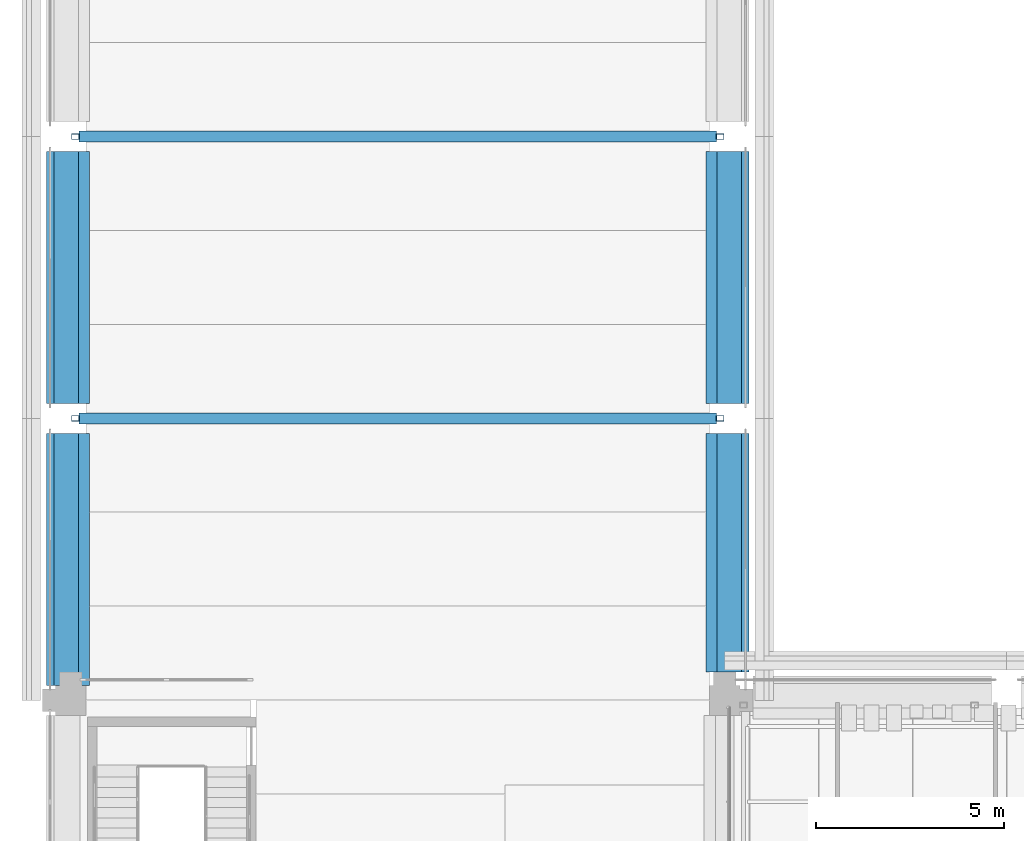
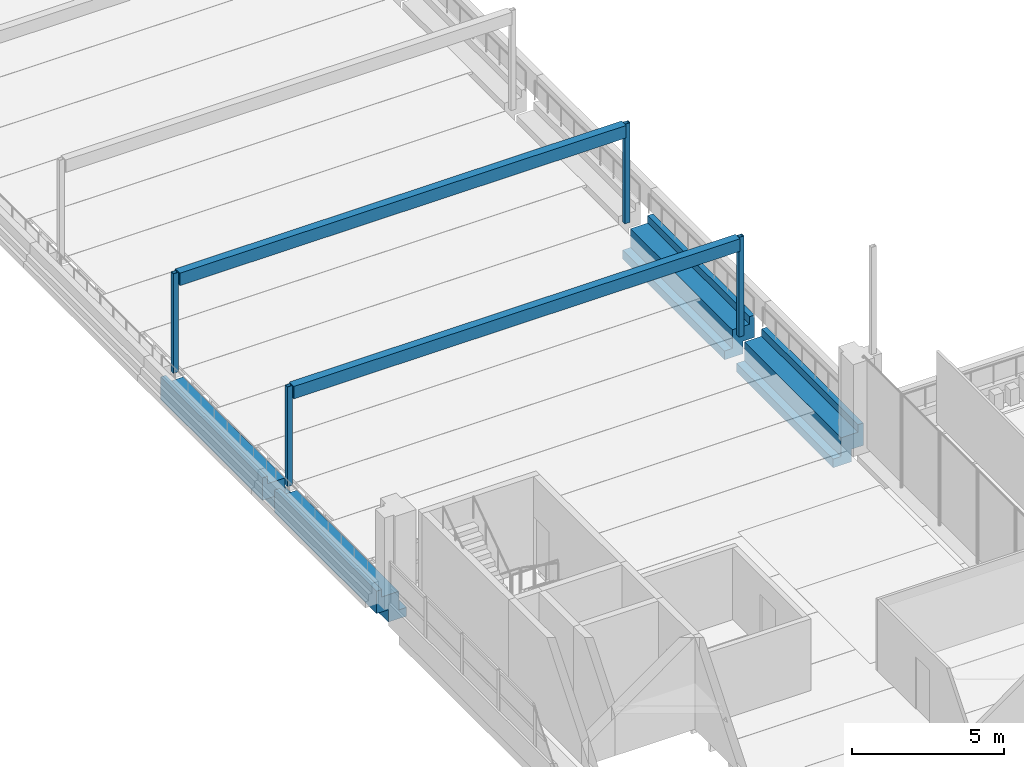
# One storey, part 18 of 62: 6 beams, 4 members.
"""IFC4 building model written with IfcOpenShell, lengths in metres."""

from ifc_helpers import new_model, si_unit, direction, frame, origin, origin_2d, place, context, subcontext, project, spatial, polyline, hollow_rectangle, outline, extrude, material, material_profile, profile_set, type_object, element, save


model = new_model("IFC4")

# Units and contexts
model_context = context("Model", 3, precision=1e-05, world=origin(), true_north=direction((0.0, 1.0)))
body_context = subcontext(model_context, "Body", "Model", "MODEL_VIEW")
ifc_project = project(units=[si_unit("LENGTHUNIT", "METRE"), si_unit("AREAUNIT", "SQUARE_METRE"), si_unit("VOLUMEUNIT", "CUBIC_METRE"), si_unit("PLANEANGLEUNIT", "RADIAN"), si_unit("MASSUNIT", "GRAM", prefix="KILO")], contexts=[model_context])

# Site, building, storey
site_placement = place(None, origin())
site = spatial("IfcSite", under=ifc_project, at=site_placement, CompositionType="ELEMENT")
building_placement = place(site_placement, origin())
building = spatial("IfcBuilding", under=site, at=building_placement, Name="Cour d'Honneur Mobility Palace", CompositionType="ELEMENT")
storey_placement = place(building_placement, frame((0.0, 0.0, 19.300048828125)))
storey = spatial("IfcBuildingStorey", under=building, at=storey_placement, Name="L05", CompositionType="ELEMENT", Elevation=19.300048828125)

# Beams
ifc_material_1 = material(Name="Concrete C45", Category="concrete")
ifc_material_profile_1 = material_profile(ifc_material_1, outline(polyline([(0.5, -1.10009765625), (0.5, -0.75), (0.199951171875, -0.75), (0.199951171875, 0.0), (-0.199951171875, 0.0), (-0.449951171875, 0.0), (-0.449951171875, 0.300048828125), (-0.64990234375, 0.300048828125), (-0.64990234375, -0.60009765625), (-0.199951171875, -0.60009765625), (-0.199951171875, -1.10009765625), (0.5, -1.10009765625)])), Name="Ledger Beam 400x1100 ledge left 350 facade right")
ifc_profile_set_1 = profile_set([ifc_material_profile_1], Name="Concrete C45")
beam_type_1 = type_object("IfcBeamType", Name="Ledger Beam 400x1100 ledge left 350 facade right", PredefinedType="BEAM", material=ifc_profile_set_1)
beam_1_placement = place(storey_placement, frame((17.39990234375, 63.14990234375, 0.0), z_axis=(0.0, 1.0, 0.0), x_axis=(-1.0, 0.0, 0.0)))
element("IfcBeam", 1, at=beam_1_placement, inside=storey, type_object=beam_type_1, Name="Precast beam B2 H-J L05", PredefinedType="BEAM", context=body_context, shape_type="SweptSolid", body=[
    extrude(outline(polyline([(0.5, -1.10009765625), (0.5, -0.75), (0.199951171875, -0.75), (0.199951171875, 0.0), (-0.199951171875, 0.0), (-0.449951171875, 0.0), (-0.449951171875, 0.300048828125), (-0.64990234375, 0.300048828125), (-0.64990234375, -0.60009765625), (-0.199951171875, -0.60009765625), (-0.199951171875, -1.10009765625), (0.5, -1.10009765625)])), origin(), (0.0, 0.0, 1.0), 6.35009765625),
])
beam_2_placement = place(storey_placement, frame((17.39990234375, 70.300048828125, 0.0), z_axis=(0.0, 1.0, 0.0), x_axis=(-1.0, 0.0, 0.0)))
element("IfcBeam", 2, at=beam_2_placement, inside=storey, type_object=beam_type_1, Name="Precast beam B2 J-K L05", PredefinedType="BEAM", context=body_context, shape_type="SweptSolid", body=[
    extrude(outline(polyline([(0.5, -1.10009765625), (0.5, -0.75), (0.199951171875, -0.75), (0.199951171875, 0.0), (-0.199951171875, 0.0), (-0.449951171875, 0.0), (-0.449951171875, 0.300048828125), (-0.64990234375, 0.300048828125), (-0.64990234375, -0.60009765625), (-0.199951171875, -0.60009765625), (-0.199951171875, -1.10009765625), (0.5, -1.10009765625)])), origin(), (0.0, 0.0, 1.0), 6.699951171875),
])
ifc_material_2 = material(Name="Concrete C45", Category="concrete")
ifc_material_profile_2 = material_profile(ifc_material_2, outline(polyline([(0.199951171875, -1.10009765625), (0.199951171875, -0.60009765625), (0.64990234375, -0.60009765625), (0.64990234375, 0.300048828125), (0.449951171875, 0.300048828125), (0.449951171875, 0.0), (0.199951171875, 0.0), (-0.199951171875, 0.0), (-0.199951171875, -0.75), (-0.5, -0.75), (-0.5, -1.10009765625), (0.199951171875, -1.10009765625)])), Name="Ledger Beam 400x1100 ledge right 350 facade left")
ifc_profile_set_2 = profile_set([ifc_material_profile_2], Name="Concrete C45")
beam_type_2 = type_object("IfcBeamType", Name="Ledger Beam 400x1100 ledge right 350 facade left", PredefinedType="BEAM", material=ifc_profile_set_2)
for number, where, z_axis, x_axis, name in (
    (3, (0.0, 62.800048828125, 0.0), (0.0, 1.0, 0.0), (-1.0, 0.0, 0.0), "Precast beam B4 H-J L05"),
    (4, (0.0, 70.300048828125, 0.0), (0.0, 1.0, 0.0), (-1.0, 0.0, 0.0), "Precast beam B4 J-K L05"),
):
    element("IfcBeam", number, at=place(storey_placement, frame(where, z_axis=z_axis, x_axis=x_axis)), inside=storey, type_object=beam_type_2, Name=name, PredefinedType="BEAM", context=body_context, shape_type="SweptSolid", body=[
        extrude(outline(polyline([(0.199951171875, -1.10009765625), (0.199951171875, -0.60009765625), (0.64990234375, -0.60009765625), (0.64990234375, 0.300048828125), (0.449951171875, 0.300048828125), (0.449951171875, 0.0), (0.199951171875, 0.0), (-0.199951171875, 0.0), (-0.199951171875, -0.75), (-0.5, -0.75), (-0.5, -1.10009765625), (0.199951171875, -1.10009765625)])), origin(), (0.0, 0.0, 1.0), 6.699951171875),
    ])

# Members
ifc_material_3 = material(Name="Steel S355", Category="steel")
ifc_material_profile_3 = material_profile(ifc_material_3, hollow_rectangle(XDim=0.14990234375, YDim=0.199951171875, WallThickness=0.008056640625, at=origin_2d()), Name="RHS 200x150x8")
ifc_profile_set_3 = profile_set([ifc_material_profile_3], Name="Steel S355")
member_type = type_object("IfcMemberType", Name="Terrace post RHS 200x150x8", PredefinedType="POST", material=ifc_profile_set_3)
for number, where, z_axis, x_axis, name in (
    (5, (0.125, 69.89990234375, 0.0), (0.0, 0.0, 1.0), (0.0, 1.0, 0.0), "Terrace post TP-C1W"),
    (6, (17.27490234375, 69.89990234375, 0.0), (0.0, 0.0, 1.0), (0.0, 1.0, 0.0), "Terrace post TP-C1E"),
    (7, (0.125, 77.39990234375, 0.0), (0.0, 0.0, 1.0), (0.0, 1.0, 0.0), "Terrace post TP-C2W"),
    (8, (17.27490234375, 77.39990234375, 0.0), (0.0, 0.0, 1.0), (0.0, 1.0, 0.0), "Terrace post TP-C2E"),
):
    element("IfcMember", number, at=place(storey_placement, frame(where, z_axis=z_axis, x_axis=x_axis)), inside=storey, type_object=member_type, Name=name, PredefinedType="POST", context=body_context, shape_type="SweptSolid", body=[
        extrude(hollow_rectangle(XDim=0.14990234375, YDim=0.199951171875, WallThickness=0.008056640625, at=origin_2d()), origin(), (0.0, 0.0, 1.0), 4.0),
    ])

# Beams
ifc_material_4 = material(Name="Steel S355", Category="steel")
ifc_material_profile_4 = material_profile(ifc_material_4, hollow_rectangle(XDim=0.300048828125, YDim=0.5, WallThickness=0.01611328125, at=origin_2d()), Name="RHS 500x300x16")
ifc_profile_set_4 = profile_set([ifc_material_profile_4], Name="Steel S355")
beam_type_3 = type_object("IfcBeamType", Name="Terrace tie beam RHS 500x300x16", PredefinedType="BEAM", material=ifc_profile_set_4)
for number, where, z_axis, x_axis, name in (
    (9, (0.22509765625, 69.89990234375, 3.75), (1.0, 0.0, 0.0), (0.0, 1.0, 0.0), "Terrace tie beam TT-C1"),
    (10, (0.22509765625, 77.39990234375, 3.75), (1.0, 0.0, 0.0), (0.0, 1.0, 0.0), "Terrace tie beam TT-C2"),
):
    element("IfcBeam", number, at=place(storey_placement, frame(where, z_axis=z_axis, x_axis=x_axis)), inside=storey, type_object=beam_type_3, Name=name, PredefinedType="BEAM", context=body_context, shape_type="SweptSolid", body=[
        extrude(hollow_rectangle(XDim=0.300048828125, YDim=0.5, WallThickness=0.01611328125, at=origin_2d()), origin(), (0.0, 0.0, 1.0), 16.949951171875),
    ])

save(model, "model.ifc")
